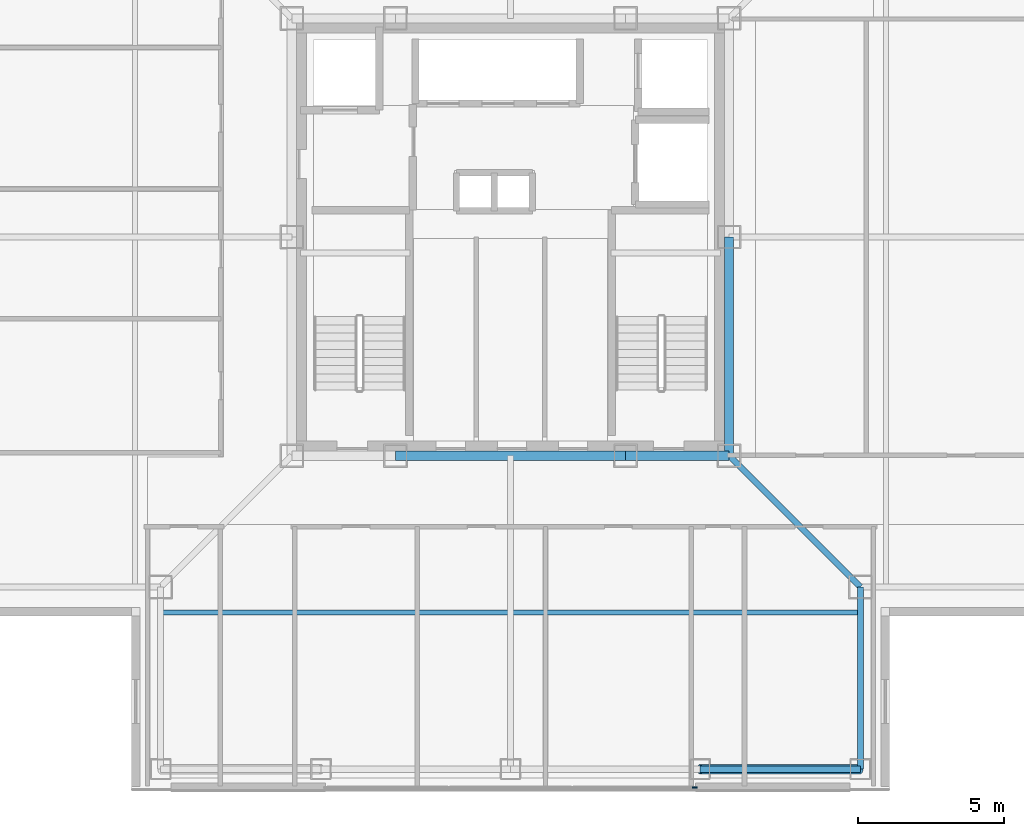
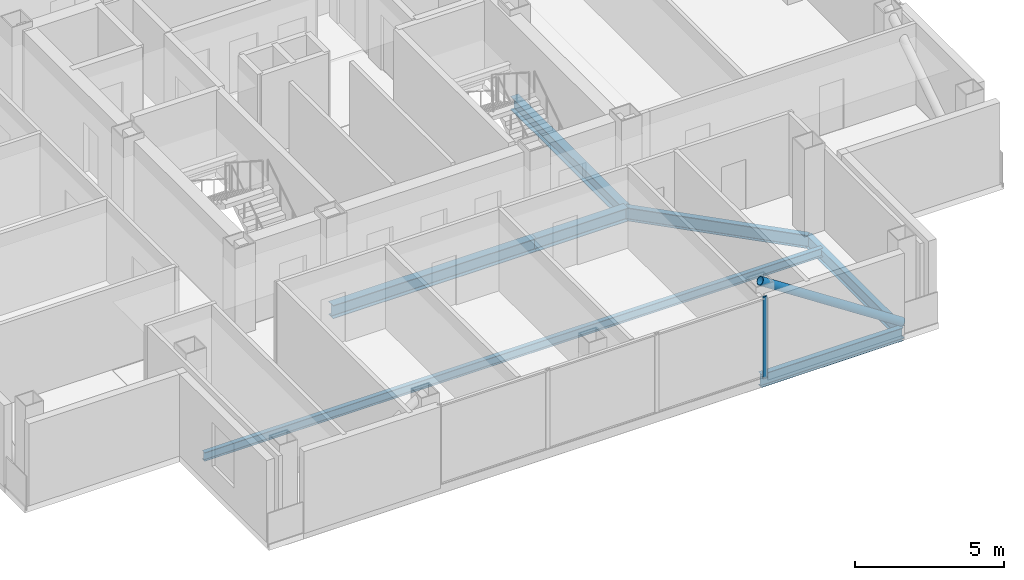
# One storey, part 3 of 16: 7 beams, 2 members, 1 element without a shape of its own.
"""IFC4 building model written with IfcOpenShell, lengths in metres."""

from ifc_helpers import new_model, si_unit, direction, frame, origin, origin_2d, place, context, subcontext, project, spatial, rectangle, hollow_circle, i_section, extrude, material, layer, layer_set, material_profile, profile_set, type_object, element, aggregate, save


model = new_model("IFC4")

# Units and contexts
model_context = context("Model", 3, precision=1e-05, world=origin(), true_north=direction((0.0, 1.0)))
body_context = subcontext(model_context, "Body", "Model", "MODEL_VIEW")
ifc_project = project(units=[si_unit("LENGTHUNIT", "METRE"), si_unit("AREAUNIT", "SQUARE_METRE"), si_unit("VOLUMEUNIT", "CUBIC_METRE"), si_unit("PLANEANGLEUNIT", "RADIAN"), si_unit("MASSUNIT", "GRAM", prefix="KILO")], contexts=[model_context])

# Site, building, storey
site_placement = place(None, origin())
site = spatial("IfcSite", under=ifc_project, at=site_placement, CompositionType="ELEMENT")
building_placement = place(site_placement, origin())
building = spatial("IfcBuilding", under=site, at=building_placement, Name="Trevonay Congress Spire", CompositionType="ELEMENT")
storey_placement = place(building_placement, frame((0.0, 0.0, 236.0)))
storey = spatial("IfcBuildingStorey", under=building, at=storey_placement, Name="L61", CompositionType="ELEMENT", Elevation=236.0)

# Beams
ifc_material_1 = material(Name="Steel ASTM A572 Grade 50", Category="steel")
ifc_material_profile_1 = material_profile(ifc_material_1, i_section(OverallWidth=0.2119140625, OverallDepth=0.5439453125, WebThickness=0.01318359375, FlangeThickness=0.021240234375, FilletRadius=0.014892578125, at=origin_2d()), Name="W530x123")
ifc_profile_set_1 = profile_set([ifc_material_profile_1], Name="Steel ASTM A572 Grade 50")
beam_type_1 = type_object("IfcBeamType", Name="BM-GIRD-W530X123", PredefinedType="BEAM", material=ifc_profile_set_1)
beam_1_placement = place(storey_placement, frame((7.5, -7.5, -0.511962890625), z_axis=(0.707106781187, -0.707106781187, 0.0), x_axis=(0.707106781187, 0.707106781187, 0.0)))
element("IfcBeam", 1, at=beam_1_placement, inside=storey, type_object=beam_type_1, Name="L61 structural beam BM-L61-CDSE", PredefinedType="BEAM", context=body_context, shape_type="SweptSolid", body=[
    extrude(i_section(OverallWidth=0.2119140625, OverallDepth=0.5439453125, WebThickness=0.01318359375, FlangeThickness=0.021240234375, FilletRadius=0.014892578125, at=origin_2d()), origin(), (0.0, 0.0, 1.0), 6.364013671875),
])
ifc_material_profile_2 = material_profile(ifc_material_1, i_section(OverallWidth=0.31201171875, OverallDepth=0.54296875, WebThickness=0.0126953125, FlangeThickness=0.020263671875, FilletRadius=0.014892578125, at=origin_2d()), Name="W530x150")
ifc_profile_set_2 = profile_set([ifc_material_profile_2], Name="Steel ASTM A572 Grade 50")
beam_type_2 = type_object("IfcBeamType", Name="BM-GIRD-W530X150", PredefinedType="BEAM", material=ifc_profile_set_2)
beam_2_placement = place(storey_placement, frame((-3.949951171875, -7.5, -0.511474609375), z_axis=(1.0, 0.0, 0.0), x_axis=(0.0, 1.0, 0.0)))
element("IfcBeam", 2, at=beam_2_placement, inside=storey, type_object=beam_type_2, Name="L61 structural beam BM-L61-CR-S2", PredefinedType="BEAM", context=body_context, shape_type="SweptSolid", body=[
    extrude(i_section(OverallWidth=0.31201171875, OverallDepth=0.54296875, WebThickness=0.0126953125, FlangeThickness=0.020263671875, FilletRadius=0.014892578125, at=origin_2d()), origin(), (0.0, 0.0, 1.0), 7.89990234375),
])
beam_3_placement = place(storey_placement, frame((3.949951171875, -7.5, -0.511474609375), z_axis=(1.0, 0.0, 0.0), x_axis=(0.0, 1.0, 0.0)))
element("IfcBeam", 3, at=beam_3_placement, inside=storey, type_object=beam_type_2, Name="L61 structural beam BM-L61-CR-S3", PredefinedType="BEAM", context=body_context, shape_type="SweptSolid", body=[
    extrude(i_section(OverallWidth=0.31201171875, OverallDepth=0.54296875, WebThickness=0.0126953125, FlangeThickness=0.020263671875, FilletRadius=0.014892578125, at=origin_2d()), origin(), (0.0, 0.0, 1.0), 3.550048828125),
])
beam_4_placement = place(storey_placement, frame((7.5, -7.5, -0.511474609375), z_axis=(0.0, 1.0, 0.0), x_axis=(-1.0, 0.0, 0.0)))
element("IfcBeam", 4, at=beam_4_placement, inside=storey, type_object=beam_type_2, Name="L61 structural beam BM-L61-CR-E1", PredefinedType="BEAM", context=body_context, shape_type="SweptSolid", body=[
    extrude(i_section(OverallWidth=0.31201171875, OverallDepth=0.54296875, WebThickness=0.0126953125, FlangeThickness=0.020263671875, FilletRadius=0.014892578125, at=origin_2d()), origin(), (0.0, 0.0, 1.0), 7.5),
])
ifc_material_profile_3 = material_profile(ifc_material_1, i_section(OverallWidth=0.208984375, OverallDepth=0.532958984375, WebThickness=0.01025390625, FlangeThickness=0.015625, FilletRadius=0.014892578125, at=origin_2d()), Name="W530x92")
ifc_profile_set_3 = profile_set([ifc_material_profile_3], Name="Steel ASTM A572 Grade 50")
beam_type_3 = type_object("IfcBeamType", Name="BM-RING-W530X92", PredefinedType="BEAM", material=ifc_profile_set_3)
beam_5_placement = place(storey_placement, frame((6.5, -18.25, -0.506591796875), z_axis=(1.0, 0.0, 0.0), x_axis=(0.0, 1.0, 0.0)))
element("IfcBeam", 5, at=beam_5_placement, inside=storey, type_object=beam_type_3, Name="L61 structural beam BM-L61-PS4", PredefinedType="BEAM", context=body_context, shape_type="SweptSolid", body=[
    extrude(i_section(OverallWidth=0.208984375, OverallDepth=0.532958984375, WebThickness=0.01025390625, FlangeThickness=0.015625, FilletRadius=0.014892578125, at=origin_2d()), origin(), (0.0, 0.0, 1.0), 5.5),
])
beam_6_placement = place(storey_placement, frame((12.0, -18.25, -0.506591796875), z_axis=(0.0, 1.0, 0.0), x_axis=(-1.0, 0.0, 0.0)))
element("IfcBeam", 6, at=beam_6_placement, inside=storey, type_object=beam_type_3, Name="L61 structural beam BM-L61-N1SE", PredefinedType="BEAM", context=body_context, shape_type="SweptSolid", body=[
    extrude(i_section(OverallWidth=0.208984375, OverallDepth=0.532958984375, WebThickness=0.01025390625, FlangeThickness=0.015625, FilletRadius=0.014892578125, at=origin_2d()), origin(), (0.0, 0.0, 1.0), 6.25),
])

# Curtain wall, member
ifc_material_2 = material(Name="Pale Anodised Aluminium EN AW-6063-T6", Category="aluminium")
ifc_layer = layer(ifc_material_2, 0.1650390625, Name="Pale Anodised Aluminium EN AW-6063-T6")
ifc_layer_set = layer_set([ifc_layer], Name="Pale Anodised Aluminium EN AW-6063-T6")
curtain_wall_type = type_object("IfcCurtainWallType", Name="CW-SYS05-DIPLOM-PALE-METAL", PredefinedType="NOTDEFINED", material=ifc_layer_set)
curtain_wall_placement = place(storey_placement, origin())
curtain_wall = element("IfcCurtainWall", 7, at=curtain_wall_placement, inside=storey, type_object=curtain_wall_type, Name="L61 S unitised curtain wall", PredefinedType="NOTDEFINED")
ifc_material_profile_4 = material_profile(ifc_material_2, rectangle(XDim=0.06005859375, YDim=0.159912109375, at=origin_2d()), Name="CW-MULLION-160-ALUMINIUM")
ifc_profile_set_4 = profile_set([ifc_material_profile_4], Name="Pale Anodised Aluminium EN AW-6063-T6")
member_type_1 = type_object("IfcMemberType", Name="CW-MULLION-160-ALUMINIUM", PredefinedType="MULLION", material=ifc_profile_set_4)
member_1_placement = place(storey_placement, frame((6.320068359375, -18.8798828125, 0.0), z_axis=(0.0, 0.0, 1.0), x_axis=(0.0, 1.0, 0.0)))
member_1 = element("IfcMember", 8, at=member_1_placement, type_object=member_type_1, Name="CW05 mullion 4", PredefinedType="MULLION", context=body_context, shape_type="SweptSolid", body=[
    extrude(rectangle(XDim=0.06005859375, YDim=0.159912109375, at=origin_2d()), origin(), (0.0, 0.0, 1.0), 3.360107421875),
])
aggregate(curtain_wall, [member_1])

# Beam
ifc_material_profile_5 = material_profile(ifc_material_1, i_section(OverallWidth=0.172119140625, OverallDepth=0.35791015625, WebThickness=0.0078125, FlangeThickness=0.01318359375, FilletRadius=0.011962890625, at=origin_2d()), Name="W360x57.8")
ifc_profile_set_5 = profile_set([ifc_material_profile_5], Name="Steel ASTM A572 Grade 50")
beam_type_4 = type_object("IfcBeamType", Name="JS-COMP-W360X57", PredefinedType="JOIST", material=ifc_profile_set_5)
beam_7_placement = place(storey_placement, frame((-12.0, -12.875, -0.4189453125), z_axis=(1.0, 0.0, 0.0), x_axis=(0.0, 1.0, 0.0)))
element("IfcBeam", 9, at=beam_7_placement, inside=storey, type_object=beam_type_4, Name="L61 structural beam JS-L61-RING-S", PredefinedType="JOIST", context=body_context, shape_type="SweptSolid", body=[
    extrude(i_section(OverallWidth=0.172119140625, OverallDepth=0.35791015625, WebThickness=0.0078125, FlangeThickness=0.01318359375, FilletRadius=0.011962890625, at=origin_2d()), origin(), (0.0, 0.0, 1.0), 24.0),
])

# Member
ifc_material_3 = material(Name="Steel ASTM A500 Grade C", Category="steel")
ifc_material_profile_6 = material_profile(ifc_material_3, hollow_circle(Radius=0.161865234375, WallThickness=0.01611328125, at=origin_2d()), Name="CHS 323.9x16")
ifc_profile_set_6 = profile_set([ifc_material_profile_6], Name="Steel ASTM A500 Grade C")
member_type_2 = type_object("IfcMemberType", Name="MBR-TUBE-CHS324", PredefinedType="BRACE", material=ifc_profile_set_6)
member_2_placement = place(storey_placement, frame((12.0, -18.25, -0.050048828125), z_axis=(-0.836694709366, 0.0, 0.547669574943), x_axis=(0.0, -1.0, 0.0)))
element("IfcMember", 10, at=member_2_placement, inside=storey, type_object=member_type_2, Name="L61 perimeter braced-tube diagonal S3", PredefinedType="BRACE", context=body_context, shape_type="SweptSolid", body=[
    extrude(hollow_circle(Radius=0.161865234375, WallThickness=0.01611328125, at=origin_2d()), origin(), (0.0, 0.0, 1.0), 6.573486328125),
])

save(model, "model.ifc")
